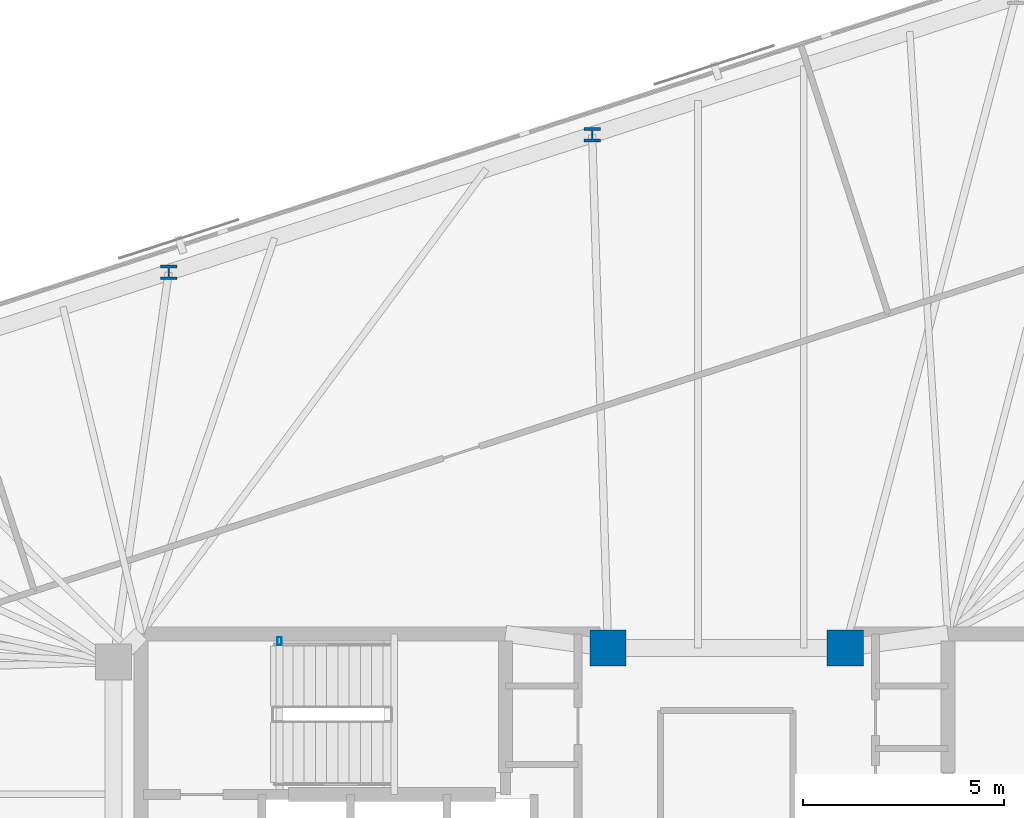
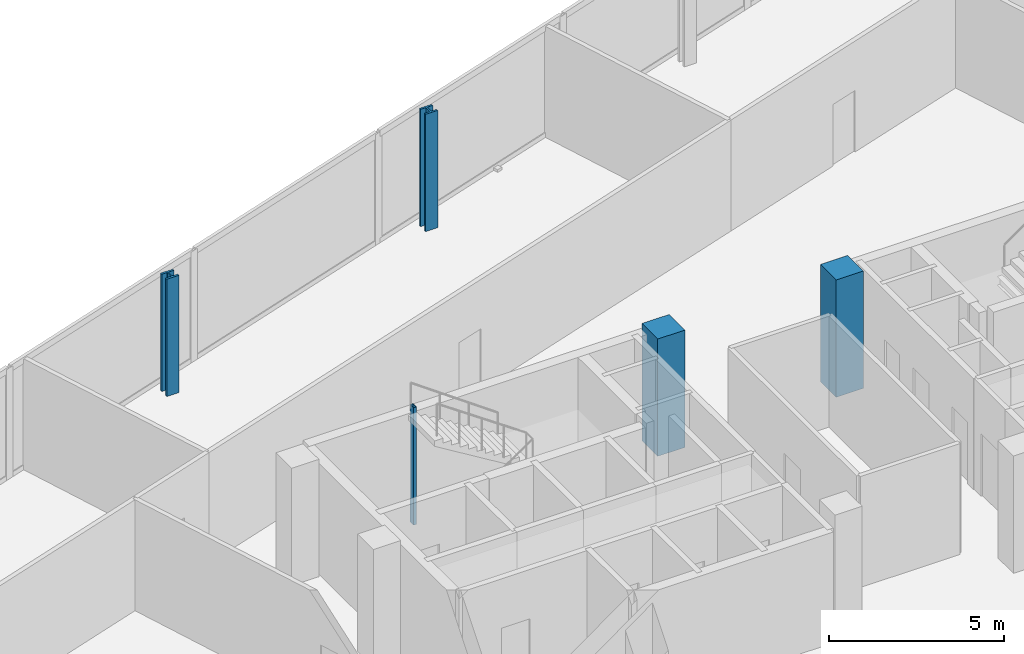
# One storey, part 2 of 14: 5 columns.
"""IFC4 building model written with IfcOpenShell, lengths in metres."""

from ifc_helpers import new_model, si_unit, direction, frame, origin, origin_2d, place, context, subcontext, project, spatial, rectangle, hollow_rectangle, i_section, extrude, material, material_profile, profile_set, type_object, element, save


model = new_model("IFC4")

# Units and contexts
model_context = context("Model", 3, precision=1e-05, world=origin(), true_north=direction((0.0, 1.0)))
body_context = subcontext(model_context, "Body", "Model", "MODEL_VIEW")
ifc_project = project(units=[si_unit("LENGTHUNIT", "METRE"), si_unit("AREAUNIT", "SQUARE_METRE"), si_unit("VOLUMEUNIT", "CUBIC_METRE"), si_unit("PLANEANGLEUNIT", "RADIAN"), si_unit("MASSUNIT", "GRAM", prefix="KILO")], contexts=[model_context])

# Site, building, storey
site_placement = place(None, origin())
site = spatial("IfcSite", under=ifc_project, at=site_placement, CompositionType="ELEMENT")
building_placement = place(site_placement, origin())
building = spatial("IfcBuilding", under=site, at=building_placement, Name="Menara Jurai Vektor", CompositionType="ELEMENT")
storey_placement = place(building_placement, frame((0.0, 0.0, 206.800048828125)))
storey = spatial("IfcBuildingStorey", under=building, at=storey_placement, Name="L54", CompositionType="ELEMENT", Elevation=206.800048828125)

# Columns
ifc_material_1 = material(Name="Concrete C50/60", Category="concrete")
ifc_material_profile_1 = material_profile(ifc_material_1, rectangle(XDim=0.89990234375, YDim=0.89990234375, at=origin_2d()), Name="RC 900x900")
ifc_profile_set_1 = profile_set([ifc_material_profile_1], Name="Concrete C50/60")
column_type_1 = type_object("IfcColumnType", Name="STR-COL-RC900", PredefinedType="COLUMN", material=ifc_profile_set_1)
for number, where, z_axis, x_axis, name in (
    (1, (-2.949951171875, 5.25, 0.0), (0.0, 0.0, 1.0), (1.0, 0.0, 0.0), "Core Spine Column CW-NE L54"),
    (2, (2.949951171875, 5.25, 0.0), (0.0, 0.0, 1.0), (1.0, 0.0, 0.0), "Core Spine Column CE-NW L54"),
):
    element("IfcColumn", number, at=place(storey_placement, frame(where, z_axis=z_axis, x_axis=x_axis)), inside=storey, type_object=column_type_1, Name=name, PredefinedType="COLUMN", context=body_context, shape_type="SweptSolid", body=[
        extrude(rectangle(XDim=0.89990234375, YDim=0.89990234375, at=origin_2d()), origin(), (0.0, 0.0, 1.0), 4.099853515625),
    ])
ifc_material_2 = material(Name="Steel S355", Category="steel")
ifc_material_profile_2 = material_profile(ifc_material_2, hollow_rectangle(XDim=0.10009765625, YDim=0.199951171875, WallThickness=0.008056640625, at=origin_2d()), Name="RHS 200x100x8")
ifc_profile_set_2 = profile_set([ifc_material_profile_2], Name="Steel S355")
column_type_2 = type_object("IfcColumnType", Name="STR-COL-STAIR", PredefinedType="COLUMN", material=ifc_profile_set_2)
column_placement = place(storey_placement, frame((-11.1201171875, 5.419921875, 0.0), z_axis=(0.0, 0.0, 1.0), x_axis=(1.0, 0.0, 0.0)))
element("IfcColumn", 3, at=column_placement, inside=storey, type_object=column_type_2, Name="Stair Well Header Column ST1-P2 L54", PredefinedType="COLUMN", context=body_context, shape_type="SweptSolid", body=[
    extrude(hollow_rectangle(XDim=0.10009765625, YDim=0.199951171875, WallThickness=0.008056640625, at=origin_2d()), origin(), (0.0, 0.0, 1.0), 4.099853515625),
])
ifc_material_3 = material(Name="Steel S460", Category="steel")
ifc_material_profile_3 = material_profile(ifc_material_3, i_section(OverallWidth=0.405029296875, OverallDepth=0.35498046875, WebThickness=0.0419921875, FlangeThickness=0.068115234375, FilletRadius=0.014892578125, at=origin_2d()), Name="HD 400x551")
ifc_profile_set_3 = profile_set([ifc_material_profile_3], Name="Steel S460")
column_type_3 = type_object("IfcColumnType", Name="STR-EXO-BLK4", PredefinedType="COLUMN", material=ifc_profile_set_3)
for number, where, z_axis, x_axis, name in (
    (4, (-3.345703125, 18.008544921875, 0.0), (0.0, 0.0, 1.0), (1.0, 0.0, 0.0), "Exoskeleton Column BLK4-N3 L54"),
    (5, (-13.875, 14.58740234375, 0.0), (0.0, 0.0, 1.0), (1.0, 0.0, 0.0), "Exoskeleton Column BLK4-N4 L54"),
):
    element("IfcColumn", number, at=place(storey_placement, frame(where, z_axis=z_axis, x_axis=x_axis)), inside=storey, type_object=column_type_3, Name=name, PredefinedType="COLUMN", context=body_context, shape_type="SweptSolid", body=[
        extrude(i_section(OverallWidth=0.405029296875, OverallDepth=0.35498046875, WebThickness=0.0419921875, FlangeThickness=0.068115234375, FilletRadius=0.014892578125, at=origin_2d()), origin(), (0.0, 0.0, 1.0), 4.099853515625),
    ])

save(model, "model.ifc")
